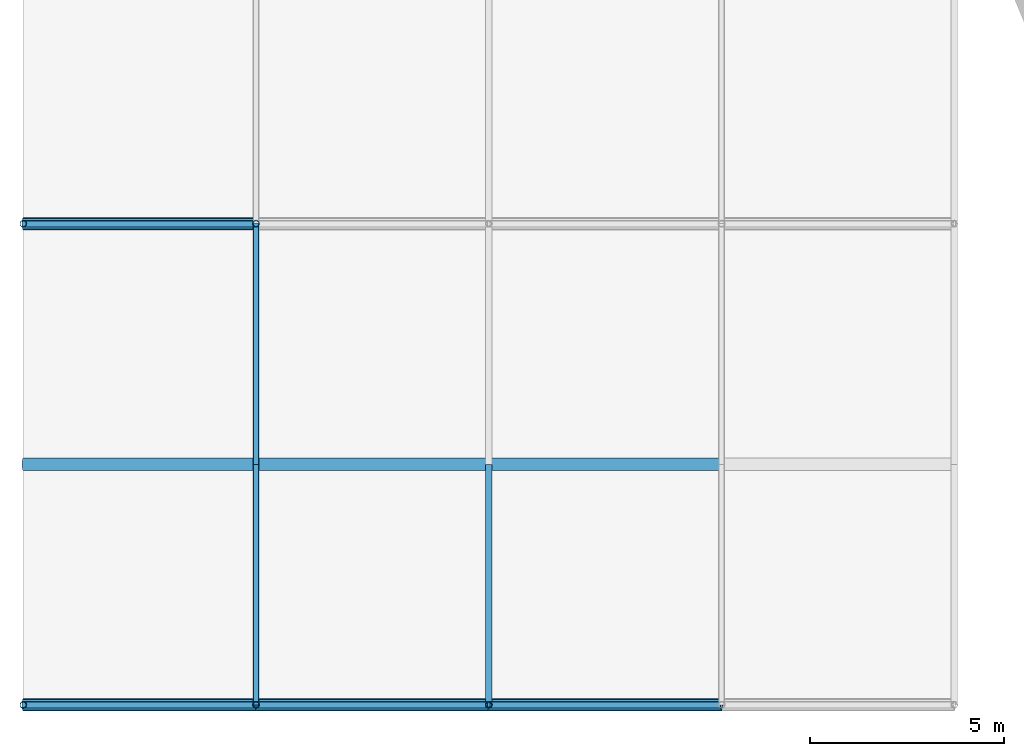
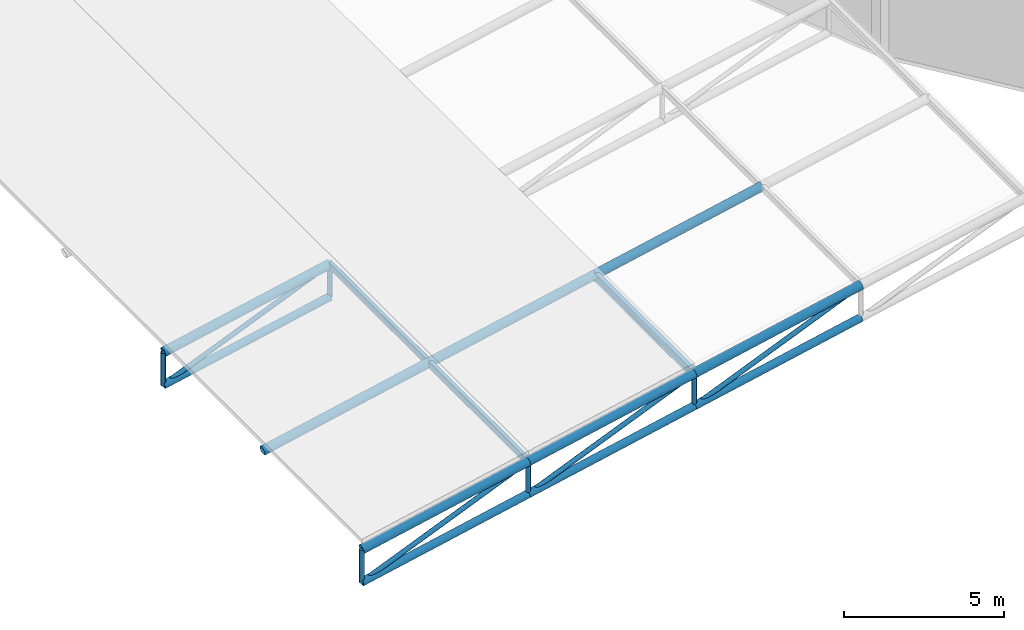
# One storey, part 14 of 48: 23 members.
"""IFC4 building model written with IfcOpenShell, lengths in metres."""

from ifc_helpers import new_model, si_unit, direction, frame, origin, origin_2d, place, context, subcontext, project, spatial, hollow_rectangle, hollow_circle, i_section, extrude, material, material_profile, profile_set, type_object, element, save


model = new_model("IFC4")

# Units and contexts
model_context = context("Model", 3, precision=1e-05, world=origin(), true_north=direction((0.0, 1.0)))
body_context = subcontext(model_context, "Body", "Model", "MODEL_VIEW")
ifc_project = project(units=[si_unit("LENGTHUNIT", "METRE"), si_unit("AREAUNIT", "SQUARE_METRE"), si_unit("VOLUMEUNIT", "CUBIC_METRE"), si_unit("PLANEANGLEUNIT", "RADIAN"), si_unit("MASSUNIT", "GRAM", prefix="KILO")], contexts=[model_context])

# Site, building, storey
site_placement = place(None, origin())
site = spatial("IfcSite", under=ifc_project, at=site_placement, CompositionType="ELEMENT")
building_placement = place(site_placement, origin())
building = spatial("IfcBuilding", under=site, at=building_placement, Name="Mirzam Square Science Centre", CompositionType="ELEMENT")
storey_placement = place(building_placement, frame((0.0, 0.0, 20.39990234375)))
storey = spatial("IfcBuildingStorey", under=building, at=storey_placement, Name="L04", CompositionType="ELEMENT", Elevation=20.39990234375)

# Members
ifc_material = material(Name="Steel S355", Category="steel")
ifc_material_profile_1 = material_profile(ifc_material, hollow_circle(Radius=0.084228515625, WallThickness=0.008056640625, at=origin_2d()), Name="168.3x8.0CHS")
ifc_profile_set_1 = profile_set([ifc_material_profile_1], Name="Steel S355")
member_type_1 = type_object("IfcMemberType", Name="BR-CHS168", PredefinedType="BRACE", material=ifc_profile_set_1)
member_1_placement = place(storey_placement, frame((36.0, 37.199951171875, -1.865478515625), z_axis=(0.922529582988, 0.0, 0.385926377063), x_axis=(0.0, 1.0, 0.0)))
element("IfcMember", 1, at=member_1_placement, inside=storey, type_object=member_type_1, Name="Wedge truss web diagonal Y7 bay 7", PredefinedType="BRACE", context=body_context, shape_type="SweptSolid", body=[
    extrude(hollow_circle(Radius=0.084228515625, WallThickness=0.008056640625, at=origin_2d()), origin(), (0.0, 0.0, 1.0), 6.50390625),
])
member_2_placement = place(storey_placement, frame((36.0, 37.199951171875, -1.865478515625), z_axis=(0.0, 0.0, 1.0), x_axis=(1.0, 0.0, 0.0)))
element("IfcMember", 2, at=member_2_placement, inside=storey, type_object=member_type_1, Name="Wedge truss post Y7 bay 7", PredefinedType="BRACE", context=body_context, shape_type="SweptSolid", body=[
    extrude(hollow_circle(Radius=0.084228515625, WallThickness=0.008056640625, at=origin_2d()), origin(), (0.0, 0.0, 1.0), 1.25),
])
member_3_placement = place(storey_placement, frame((42.0, 37.199951171875, -0.60546875), z_axis=(0.922529582988, 0.0, 0.385926377063), x_axis=(0.0, 1.0, 0.0)))
element("IfcMember", 3, at=member_3_placement, inside=storey, type_object=member_type_1, Name="Wedge truss web diagonal Y7 bay 8", PredefinedType="BRACE", context=body_context, shape_type="SweptSolid", body=[
    extrude(hollow_circle(Radius=0.084228515625, WallThickness=0.008056640625, at=origin_2d()), origin(), (0.0, 0.0, 1.0), 6.50390625),
])
member_4_placement = place(storey_placement, frame((42.0, 37.199951171875, -0.60546875), z_axis=(0.0, 0.0, 1.0), x_axis=(1.0, 0.0, 0.0)))
element("IfcMember", 4, at=member_4_placement, inside=storey, type_object=member_type_1, Name="Wedge truss post Y7 bay 8", PredefinedType="BRACE", context=body_context, shape_type="SweptSolid", body=[
    extrude(hollow_circle(Radius=0.084228515625, WallThickness=0.008056640625, at=origin_2d()), origin(), (0.0, 0.0, 1.0), 1.25),
])
member_5_placement = place(storey_placement, frame((48.0, 37.199951171875, 0.654541015625), z_axis=(0.922529582988, 0.0, 0.385926377063), x_axis=(0.0, 1.0, 0.0)))
element("IfcMember", 5, at=member_5_placement, inside=storey, type_object=member_type_1, Name="Wedge truss web diagonal Y7 bay 9", PredefinedType="BRACE", context=body_context, shape_type="SweptSolid", body=[
    extrude(hollow_circle(Radius=0.084228515625, WallThickness=0.008056640625, at=origin_2d()), origin(), (0.0, 0.0, 1.0), 6.50390625),
])
member_6_placement = place(storey_placement, frame((48.0, 37.199951171875, 0.654541015625), z_axis=(0.0, 0.0, 1.0), x_axis=(1.0, 0.0, 0.0)))
element("IfcMember", 6, at=member_6_placement, inside=storey, type_object=member_type_1, Name="Wedge truss post Y7 bay 9", PredefinedType="BRACE", context=body_context, shape_type="SweptSolid", body=[
    extrude(hollow_circle(Radius=0.084228515625, WallThickness=0.008056640625, at=origin_2d()), origin(), (0.0, 0.0, 1.0), 1.25),
])
member_7_placement = place(storey_placement, frame((36.0, 49.60009765625, -1.865478515625), z_axis=(0.922529582988, 0.0, 0.385926377063), x_axis=(0.0, 1.0, 0.0)))
element("IfcMember", 7, at=member_7_placement, inside=storey, type_object=member_type_1, Name="Wedge truss web diagonal Y9 bay 7", PredefinedType="BRACE", context=body_context, shape_type="SweptSolid", body=[
    extrude(hollow_circle(Radius=0.084228515625, WallThickness=0.008056640625, at=origin_2d()), origin(), (0.0, 0.0, 1.0), 6.50390625),
])
for number, where, z_axis, x_axis, name in (
    (8, (36.0, 49.60009765625, -1.865478515625), (0.0, 0.0, 1.0), (1.0, 0.0, 0.0), "Wedge truss post Y9 bay 7"),
    (9, (42.0, 49.60009765625, -0.60546875), (0.0, 0.0, 1.0), (1.0, 0.0, 0.0), "Wedge truss post Y9 bay 8"),
):
    element("IfcMember", number, at=place(storey_placement, frame(where, z_axis=z_axis, x_axis=x_axis)), inside=storey, type_object=member_type_1, Name=name, PredefinedType="BRACE", context=body_context, shape_type="SweptSolid", body=[
        extrude(hollow_circle(Radius=0.084228515625, WallThickness=0.008056640625, at=origin_2d()), origin(), (0.0, 0.0, 1.0), 1.25),
    ])
ifc_material_profile_2 = material_profile(ifc_material, hollow_circle(Radius=0.136474609375, WallThickness=0.010009765625, at=origin_2d()), Name="273.0x10.0CHS")
ifc_profile_set_2 = profile_set([ifc_material_profile_2], Name="Steel S355")
member_type_2 = type_object("IfcMemberType", Name="CH-CHS273", PredefinedType="CHORD", material=ifc_profile_set_2)
for number, where, z_axis, x_axis, name in (
    (10, (36.0, 37.199951171875, -1.865478515625), (0.978653176229, 0.0, 0.205518759868), (0.0, 1.0, 0.0), "Wedge truss bottom chord Y7 bay 7"),
    (11, (42.0, 37.199951171875, -0.60546875), (0.978653176229, 0.0, 0.205518759868), (0.0, 1.0, 0.0), "Wedge truss bottom chord Y7 bay 8"),
    (12, (48.0, 37.199951171875, 0.654541015625), (0.978653176229, 0.0, 0.205518759868), (0.0, 1.0, 0.0), "Wedge truss bottom chord Y7 bay 9"),
    (13, (36.0, 49.60009765625, -1.865478515625), (0.978653176229, 0.0, 0.205518759868), (0.0, 1.0, 0.0), "Wedge truss bottom chord Y9 bay 7"),
):
    element("IfcMember", number, at=place(storey_placement, frame(where, z_axis=z_axis, x_axis=x_axis)), inside=storey, type_object=member_type_2, Name=name, PredefinedType="CHORD", context=body_context, shape_type="SweptSolid", body=[
        extrude(hollow_circle(Radius=0.136474609375, WallThickness=0.010009765625, at=origin_2d()), origin(), (0.0, 0.0, 1.0), 6.130859375),
    ])
ifc_material_profile_3 = material_profile(ifc_material, hollow_circle(Radius=0.161865234375, WallThickness=0.012451171875, at=origin_2d()), Name="323.9x12.5CHS")
ifc_profile_set_3 = profile_set([ifc_material_profile_3], Name="Steel S355")
member_type_3 = type_object("IfcMemberType", Name="CH-CHS324", PredefinedType="CHORD", material=ifc_profile_set_3)
for number, where, z_axis, x_axis, name in (
    (14, (36.0, 37.199951171875, -0.615478515625), (0.978653176229, 0.0, 0.205518759868), (0.0, 1.0, 0.0), "Wedge truss top chord Y7 bay 7"),
    (15, (42.0, 37.199951171875, 0.64453125), (0.978653176229, 0.0, 0.205518759868), (0.0, 1.0, 0.0), "Wedge truss top chord Y7 bay 8"),
    (16, (48.0, 37.199951171875, 1.904541015625), (0.978653176229, 0.0, 0.205518759868), (0.0, 1.0, 0.0), "Wedge truss top chord Y7 bay 9"),
    (17, (36.0, 43.39990234375, -0.615478515625), (0.978653176229, 0.0, 0.205518759868), (0.0, 1.0, 0.0), "Wedge truss top chord Y8 bay 7"),
    (18, (42.0, 43.39990234375, 0.64453125), (0.978653176229, 0.0, 0.205518759868), (0.0, 1.0, 0.0), "Wedge truss top chord Y8 bay 8"),
    (19, (48.0, 43.39990234375, 1.904541015625), (0.978653176229, 0.0, 0.205518759868), (0.0, 1.0, 0.0), "Wedge truss top chord Y8 bay 9"),
    (20, (36.0, 49.60009765625, -0.615478515625), (0.978653176229, 0.0, 0.205518759868), (0.0, 1.0, 0.0), "Wedge truss top chord Y9 bay 7"),
):
    element("IfcMember", number, at=place(storey_placement, frame(where, z_axis=z_axis, x_axis=x_axis)), inside=storey, type_object=member_type_3, Name=name, PredefinedType="CHORD", context=body_context, shape_type="SweptSolid", body=[
        extrude(hollow_circle(Radius=0.161865234375, WallThickness=0.012451171875, at=origin_2d()), origin(), (0.0, 0.0, 1.0), 6.130859375),
    ])
ifc_material_profile_4 = material_profile(ifc_material, hollow_rectangle(XDim=0.14990234375, YDim=0.25, WallThickness=0.010009765625, InnerFilletRadius=0.010009765625, OuterFilletRadius=0.02001953125, at=origin_2d()), Name="250x150x10.0RHS")
ifc_profile_set_4 = profile_set([ifc_material_profile_4], Name="Steel S355")
member_type_4 = type_object("IfcMemberType", Name="RF-RHS250", PredefinedType="RAFTER", material=ifc_profile_set_4)
member_8_placement = place(storey_placement, frame((42.0, 37.199951171875, 0.6474609375), z_axis=(0.0, 1.0, 0.0), x_axis=(-1.0, 0.0, 0.0)))
element("IfcMember", 21, at=member_8_placement, inside=storey, type_object=member_type_4, Name="Wedge roof rafter X8-7", PredefinedType="RAFTER", context=body_context, shape_type="SweptSolid", body=[
    extrude(hollow_rectangle(XDim=0.14990234375, YDim=0.25, WallThickness=0.010009765625, InnerFilletRadius=0.010009765625, OuterFilletRadius=0.02001953125, at=origin_2d()), origin(), (0.0, 0.0, 1.0), 6.199951171875),
])
member_9_placement = place(storey_placement, frame((42.0, 43.39990234375, 0.6474609375), z_axis=(0.0, 1.0, 0.0), x_axis=(-1.0, 0.0, 0.0)))
element("IfcMember", 22, at=member_9_placement, inside=storey, type_object=member_type_4, Name="Wedge roof rafter X8-8", PredefinedType="RAFTER", context=body_context, shape_type="SweptSolid", body=[
    extrude(hollow_rectangle(XDim=0.14990234375, YDim=0.25, WallThickness=0.010009765625, InnerFilletRadius=0.010009765625, OuterFilletRadius=0.02001953125, at=origin_2d()), origin(), (0.0, 0.0, 1.0), 6.2001953125),
])
ifc_material_profile_5 = material_profile(ifc_material, i_section(OverallWidth=0.165771484375, OverallDepth=0.306640625, WebThickness=0.006591796875, FlangeThickness=0.01171875, FilletRadius=0.0087890625, at=origin_2d()), Name="305x165x46UB")
ifc_profile_set_5 = profile_set([ifc_material_profile_5], Name="Steel S355")
member_type_5 = type_object("IfcMemberType", Name="RF-UB305", PredefinedType="RAFTER", material=ifc_profile_set_5)
member_10_placement = place(storey_placement, frame((48.0, 37.199951171875, 1.87841796875), z_axis=(0.0, 1.0, 0.0), x_axis=(-1.0, 0.0, 0.0)))
element("IfcMember", 23, at=member_10_placement, inside=storey, type_object=member_type_5, Name="Wedge roof rafter X9-7", PredefinedType="RAFTER", context=body_context, shape_type="SweptSolid", body=[
    extrude(i_section(OverallWidth=0.165771484375, OverallDepth=0.306640625, WebThickness=0.006591796875, FlangeThickness=0.01171875, FilletRadius=0.0087890625, at=origin_2d()), origin(), (0.0, 0.0, 1.0), 6.199951171875),
])

save(model, "model.ifc")
